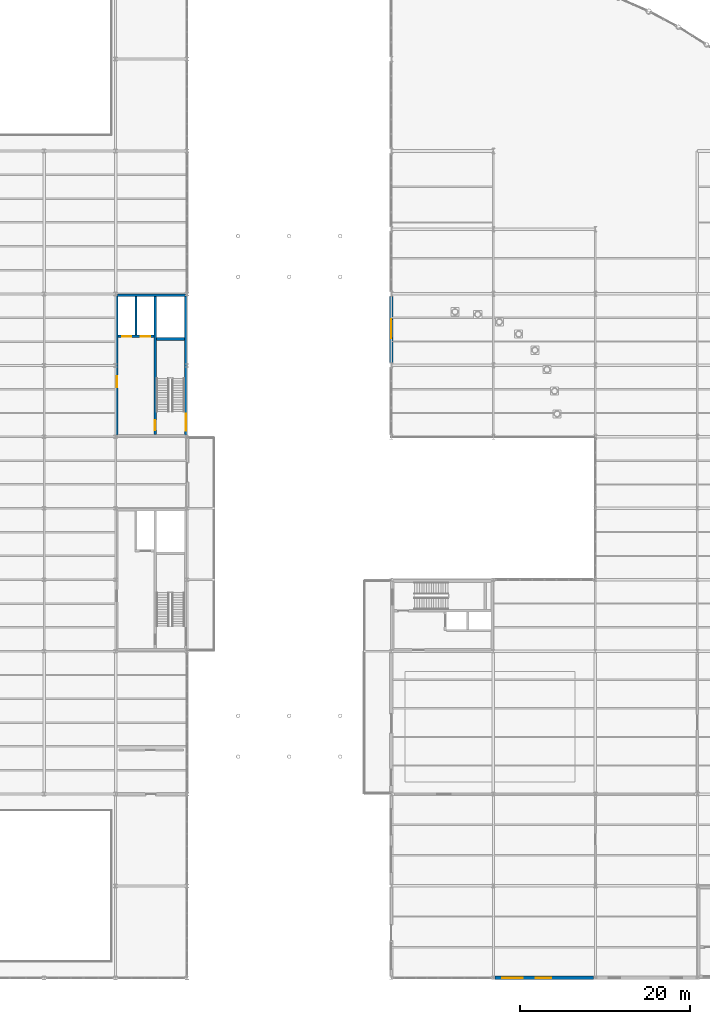
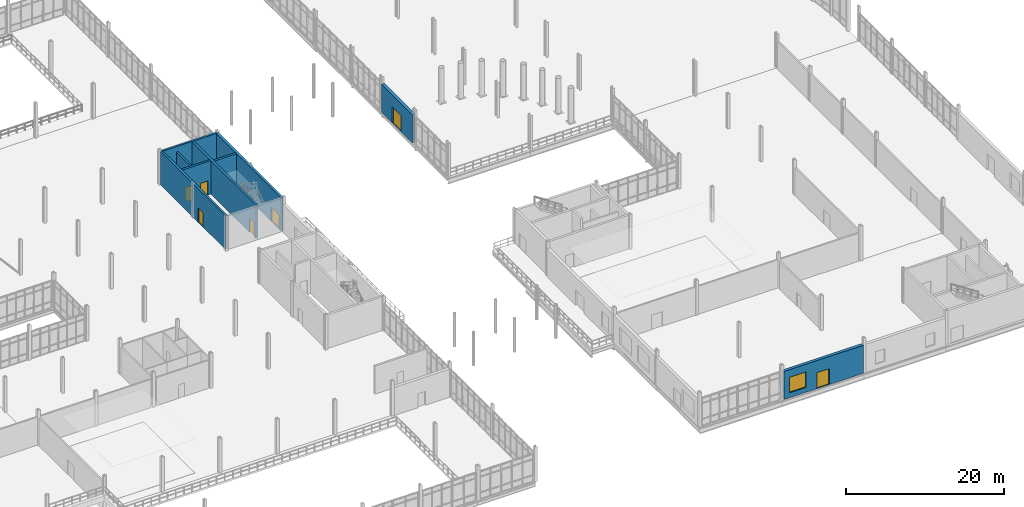
# One storey, part 100 of 111: 9 walls, 7 doors, 1 window, 8 openings.
"""IFC4 building model written with IfcOpenShell, lengths in metres."""

from ifc_helpers import new_model, si_unit, direction, frame, frame_2d, origin, place, context, subcontext, project, spatial, rectangle, extrude, material, layer, layer_set, type_object, element, fill, save


model = new_model("IFC4")

# Units and contexts
model_context = context("Model", 3, precision=1e-05, world=origin(), true_north=direction((0.0, 1.0)))
body_context = subcontext(model_context, "Body", "Model", "MODEL_VIEW")
ifc_project = project(units=[si_unit("LENGTHUNIT", "METRE"), si_unit("AREAUNIT", "SQUARE_METRE"), si_unit("VOLUMEUNIT", "CUBIC_METRE"), si_unit("PLANEANGLEUNIT", "RADIAN"), si_unit("MASSUNIT", "GRAM", prefix="KILO"), si_unit("THERMODYNAMICTEMPERATUREUNIT", "KELVIN"), si_unit("POWERUNIT", "WATT")], contexts=[model_context])

# Site, building, storey
site_placement = place(None, origin())
site = spatial("IfcSite", under=ifc_project, at=site_placement, CompositionType="ELEMENT")
building_placement = place(site_placement, origin())
building = spatial("IfcBuilding", under=site, at=building_placement, Name="Tembeka Court Mobility Hub", CompositionType="ELEMENT")
storey_placement = place(building_placement, origin())
storey = spatial("IfcBuildingStorey", under=building, at=storey_placement, Name="L00", CompositionType="ELEMENT", Elevation=0.0)

# Wall, opening, door
ifc_material_1 = material(Name="Insulated Nairobi volcanic-tuff masonry", Category="masonry")
ifc_layer_1 = layer(ifc_material_1, 0.419921875)
ifc_layer_set_1 = layer_set([ifc_layer_1], Name="Insulated Nairobi volcanic-tuff masonry")
wall_type_1 = type_object("IfcWallType", Name="WL-EW01", PredefinedType="STANDARD", material=ifc_layer_set_1)
wall_1_placement = place(storey_placement, frame((116.39990234375, 72.298095703125, 0.0), z_axis=(0.0, 0.0, 1.0), x_axis=(0.0, 1.0, 0.0)))
wall_1 = element("IfcWall", 1, at=wall_1_placement, inside=storey, type_object=wall_type_1, Name="External wall EW01 (EW-L00-0071)", PredefinedType="STANDARD", context=body_context, shape_type="SweptSolid", body=[
    extrude(rectangle(XDim=7.803955078125, YDim=0.419921875, at=frame_2d((3.90185546875, 0.0))), origin(), (0.0, 0.0, 1.0), 4.3349609375),
])
opening_1_placement = place(wall_1_placement, frame((2.89990234375, 0.0, 0.0)))
opening_1 = element("IfcOpeningElement", 2, at=opening_1_placement, cuts=wall_1, Name="Opening E08", PredefinedType="OPENING", context=body_context, shape_type="SweptSolid", body=[
    extrude(rectangle(XDim=2.199951171875, YDim=2.449951171875, at=frame_2d((1.10009765625, 1.22509765625))), frame((0.0, 0.219970703125, 0.0), z_axis=(0.0, -1.0, 0.0), x_axis=(1.0, 0.0, 0.0)), (0.0, 0.0, 1.0), 0.43994140625),
])
ifc_material_2 = material(Name="Powder-coated aluminium glazed doorset", Category="aluminium")
door_type_1 = type_object("IfcDoorType", Name="DR-E08", OperationType="NOTDEFINED", PredefinedType="DOOR", material=ifc_material_2)
door_1_placement = place(opening_1_placement, origin())
door_1 = element("IfcDoor", 3, at=door_1_placement, inside=storey, type_object=door_type_1, Name="Main entrance E08 forecourt East", OperationType="DOUBLE_DOOR_SINGLE_SWING", OverallHeight=2.449951171875, OverallWidth=2.199951171875, PredefinedType="DOOR", context=body_context, shape_type="SweptSolid", body=[
    extrude(rectangle(XDim=2.199951171875, YDim=2.449951171875, at=frame_2d((1.10009765625, 1.22509765625))), frame((0.0, 0.02490234375, 0.0), z_axis=(0.0, -1.0, 0.0), x_axis=(1.0, 0.0, 0.0)), (0.0, 0.0, 1.0), 0.050048828125),
])
fill(opening_1, door_1)

# Wall, openings, door, window
wall_2_placement = place(storey_placement, frame((128.595458984375, 0.0, 0.0), z_axis=(0.0, 0.0, 1.0), x_axis=(1.0, 0.0, 0.0)))
wall_2 = element("IfcWall", 4, at=wall_2_placement, inside=storey, type_object=wall_type_1, Name="External wall EW01 (EW-L00-0075)", PredefinedType="STANDARD", context=body_context, shape_type="SweptSolid", body=[
    extrude(rectangle(XDim=11.609130859375, YDim=0.419921875, at=frame_2d((5.8046875, 0.0))), origin(), (0.0, 0.0, 1.0), 4.3349609375),
])
opening_2_placement = place(wall_2_placement, frame((4.820068359375, 0.0, 0.0)))
opening_2 = element("IfcOpeningElement", 5, at=opening_2_placement, cuts=wall_2, Name="Opening E14", PredefinedType="OPENING", context=body_context, shape_type="SweptSolid", body=[
    extrude(rectangle(XDim=1.800048828125, YDim=2.449951171875, at=frame_2d((0.89990234375, 1.22509765625))), frame((0.0, 0.219970703125, 0.0), z_axis=(0.0, -1.0, 0.0), x_axis=(1.0, 0.0, 0.0)), (0.0, 0.0, 1.0), 0.43994140625),
])
opening_3_placement = place(wall_2_placement, frame((0.85009765625, 0.0, 0.75)))
opening_3 = element("IfcOpeningElement", 6, at=opening_3_placement, cuts=wall_2, Name="Opening WN02", PredefinedType="OPENING", context=body_context, shape_type="SweptSolid", body=[
    extrude(rectangle(XDim=2.39990234375, YDim=2.39990234375, at=frame_2d((1.199951171875, 1.199951171875))), frame((0.0, 0.219970703125, 0.0), z_axis=(0.0, -1.0, 0.0), x_axis=(1.0, 0.0, 0.0)), (0.0, 0.0, 1.0), 0.43994140625),
])
door_type_2 = type_object("IfcDoorType", Name="DR-E14", OperationType="NOTDEFINED", PredefinedType="DOOR", material=ifc_material_2)
door_2_placement = place(opening_2_placement, frame((1.800048828125, 0.0, 0.0), z_axis=(0.0, 0.0, 1.0), x_axis=(-1.0, 0.0, 0.0)))
door_2 = element("IfcDoor", 7, at=door_2_placement, inside=storey, type_object=door_type_2, Name="Final exit E14 bicycle and cafe South", OperationType="DOUBLE_DOOR_SINGLE_SWING", OverallHeight=2.449951171875, OverallWidth=1.800048828125, PredefinedType="DOOR", context=body_context, shape_type="SweptSolid", body=[
    extrude(rectangle(XDim=1.800048828125, YDim=2.449951171875, at=frame_2d((0.89990234375, 1.22509765625))), frame((0.0, 0.02490234375, 0.0), z_axis=(0.0, -1.0, 0.0), x_axis=(1.0, 0.0, 0.0)), (0.0, 0.0, 1.0), 0.050048828125),
])
fill(opening_2, door_2)
ifc_material_3 = material(Name="Laminated solar-control low-E glass", Category="glass")
window_type = type_object("IfcWindowType", Name="WN-W02", PartitioningType="SINGLE_PANEL", PredefinedType="WINDOW", material=ifc_material_3)
window_placement = place(opening_3_placement, origin())
window = element("IfcWindow", 8, at=window_placement, inside=storey, type_object=window_type, Name="Window WN02-0015", OverallHeight=2.39990234375, OverallWidth=2.39990234375, PartitioningType="SINGLE_PANEL", PredefinedType="WINDOW", context=body_context, shape_type="SweptSolid", body=[
    extrude(rectangle(XDim=2.39990234375, YDim=2.39990234375, at=frame_2d((1.199951171875, 1.199951171875))), frame((0.0, 0.030029296875, 0.0), z_axis=(0.0, -1.0, 0.0), x_axis=(1.0, 0.0, 0.0)), (0.0, 0.0, 1.0), 0.06005859375),
])
fill(opening_3, window)

# Walls
ifc_material_4 = material(Name="Concrete C40/50", Category="concrete")
ifc_layer_2 = layer(ifc_material_4, 0.25)
ifc_layer_set_2 = layer_set([ifc_layer_2], Name="Concrete C40/50")
wall_type_2 = type_object("IfcWallType", Name="WL-IW01", PredefinedType="PARTITIONING", material=ifc_layer_set_2)
wall_3_placement = place(storey_placement, frame((86.39990234375, 75.550048828125, 0.0), z_axis=(0.0, 0.0, 1.0), x_axis=(0.0, 1.0, 0.0)))
element("IfcWall", 9, at=wall_3_placement, inside=storey, type_object=wall_type_2, Name="Wall IW01 (IW-L00-0080)", PredefinedType="PARTITIONING", context=body_context, shape_type="SweptSolid", body=[
    extrude(rectangle(XDim=4.550048828125, YDim=0.25, at=frame_2d((2.27490234375, 0.0))), origin(), (0.0, 0.0, 1.0), 4.324951171875),
])
ifc_layer_3 = layer(ifc_material_4, 0.300048828125)
ifc_layer_set_3 = layer_set([ifc_layer_3], Name="Concrete C40/50")
wall_type_3 = type_object("IfcWallType", Name="WL-SW01", PredefinedType="SHEAR", material=ifc_layer_set_3)
wall_4_placement = place(storey_placement, frame((84.197509765625, 80.25, 0.0), z_axis=(0.0, 0.0, 1.0), x_axis=(1.0, 0.0, 0.0)))
element("IfcWall", 10, at=wall_4_placement, inside=storey, type_object=wall_type_3, Name="Wall SW01 (IW-L00-0074)", PredefinedType="SHEAR", context=body_context, shape_type="SweptSolid", body=[
    extrude(rectangle(XDim=8.0048828125, YDim=0.300048828125, at=frame_2d((4.00244140625, 0.0))), origin(), (0.0, 0.0, 1.0), 5.179931640625),
])
wall_5_placement = place(storey_placement, frame((88.800048828125, 75.10009765625, 0.0), z_axis=(0.0, 0.0, 1.0), x_axis=(1.0, 0.0, 0.0)))
element("IfcWall", 11, at=wall_5_placement, inside=storey, type_object=wall_type_3, Name="Wall SW01 (IW-L00-0075)", PredefinedType="SHEAR", context=body_context, shape_type="SweptSolid", body=[
    extrude(rectangle(XDim=3.300048828125, YDim=0.300048828125, at=frame_2d((1.64990234375, 0.0))), origin(), (0.0, 0.0, 1.0), 5.179931640625),
])

# Wall, opening, door
wall_6_placement = place(storey_placement, frame((84.14990234375, 63.794921875, 0.0), z_axis=(0.0, 0.0, 1.0), x_axis=(0.0, 1.0, 0.0)))
wall_6 = element("IfcWall", 12, at=wall_6_placement, inside=storey, type_object=wall_type_3, Name="Wall SW01 (IW-L00-0077)", PredefinedType="SHEAR", context=body_context, shape_type="SweptSolid", body=[
    extrude(rectangle(XDim=16.41015625, YDim=0.300048828125, at=frame_2d((8.205078125, 0.0))), origin(), (0.0, 0.0, 1.0), 5.179931640625),
])
opening_4_placement = place(wall_6_placement, frame((5.655029296875, 0.0, 0.0)))
opening_4 = element("IfcOpeningElement", 13, at=opening_4_placement, cuts=wall_6, Name="Opening FD02", PredefinedType="OPENING", context=body_context, shape_type="SweptSolid", body=[
    extrude(rectangle(XDim=1.300048828125, YDim=2.199951171875, at=frame_2d((0.64990234375, 1.10009765625))), frame((0.0, 0.16015625, 0.0), z_axis=(0.0, -1.0, 0.0), x_axis=(1.0, 0.0, 0.0)), (0.0, 0.0, 1.0), 0.320068359375),
])
ifc_material_5 = material(Name="Galvanised steel fire/shutter doorset", Category="steel")
door_type_3 = type_object("IfcDoorType", Name="DR-FD02", OperationType="NOTDEFINED", PredefinedType="DOOR", material=ifc_material_5)
door_3_placement = place(opening_4_placement, origin())
door_3 = element("IfcDoor", 14, at=door_3_placement, inside=storey, type_object=door_type_3, Name="Door FD02-0039", OperationType="SINGLE_SWING_LEFT", OverallHeight=2.199951171875, OverallWidth=1.300048828125, PredefinedType="DOOR", context=body_context, shape_type="SweptSolid", body=[
    extrude(rectangle(XDim=1.300048828125, YDim=2.199951171875, at=frame_2d((0.64990234375, 1.10009765625))), frame((0.0, 0.02490234375, 0.0), z_axis=(0.0, -1.0, 0.0), x_axis=(1.0, 0.0, 0.0)), (0.0, 0.0, 1.0), 0.050048828125),
])
fill(opening_4, door_3)

wall_7_placement = place(storey_placement, frame((88.64990234375, 63.89990234375, 0.0), z_axis=(0.0, 0.0, 1.0), x_axis=(0.0, 1.0, 0.0)))
wall_7 = element("IfcWall", 15, at=wall_7_placement, inside=storey, type_object=wall_type_3, Name="Wall SW01 (IW-L00-0078)", PredefinedType="SHEAR", context=body_context, shape_type="SweptSolid", body=[
    extrude(rectangle(XDim=16.2001953125, YDim=0.300048828125, at=frame_2d((8.10009765625, 0.0))), origin(), (0.0, 0.0, 1.0), 5.179931640625),
])
opening_5_placement = place(wall_7_placement, frame((0.5, 0.0, 0.0)))
opening_5 = element("IfcOpeningElement", 16, at=opening_5_placement, cuts=wall_7, Name="Opening FD03", PredefinedType="OPENING", context=body_context, shape_type="SweptSolid", body=[
    extrude(rectangle(XDim=1.14990234375, YDim=2.14990234375, at=frame_2d((0.574951171875, 1.074951171875))), frame((0.0, 0.16015625, 0.0), z_axis=(0.0, -1.0, 0.0), x_axis=(1.0, 0.0, 0.0)), (0.0, 0.0, 1.0), 0.320068359375),
])
door_type_4 = type_object("IfcDoorType", Name="DR-FD03", OperationType="NOTDEFINED", PredefinedType="DOOR", material=ifc_material_5)
door_4_placement = place(opening_5_placement, origin())
door_4 = element("IfcDoor", 17, at=door_4_placement, inside=storey, type_object=door_type_4, Name="Door FD03-0040", OperationType="SINGLE_SWING_RIGHT", OverallHeight=2.14990234375, OverallWidth=1.14990234375, PredefinedType="DOOR", context=body_context, shape_type="SweptSolid", body=[
    extrude(rectangle(XDim=1.14990234375, YDim=2.14990234375, at=frame_2d((0.574951171875, 1.074951171875))), frame((0.0, 0.02490234375, 0.0), z_axis=(0.0, -1.0, 0.0), x_axis=(1.0, 0.0, 0.0)), (0.0, 0.0, 1.0), 0.050048828125),
])
fill(opening_5, door_4)

# Wall, openings, doors
wall_8_placement = place(storey_placement, frame((84.300048828125, 75.39990234375, 0.0), z_axis=(0.0, 0.0, 1.0), x_axis=(1.0, 0.0, 0.0)))
wall_8 = element("IfcWall", 18, at=wall_8_placement, inside=storey, type_object=wall_type_3, Name="Wall SW01 (IW-L00-0079)", PredefinedType="SHEAR", context=body_context, shape_type="SweptSolid", body=[
    extrude(rectangle(XDim=4.199951171875, YDim=0.300048828125, at=frame_2d((2.10009765625, 0.0))), origin(), (0.0, 0.0, 1.0), 5.179931640625),
])
opening_6_placement = place(wall_8_placement, frame((0.449951171875, 0.0, 0.0)))
opening_6 = element("IfcOpeningElement", 19, at=opening_6_placement, cuts=wall_8, Name="Opening LD01", PredefinedType="OPENING", context=body_context, shape_type="SweptSolid", body=[
    extrude(rectangle(XDim=1.10009765625, YDim=2.199951171875, at=frame_2d((0.550048828125, 1.10009765625))), frame((0.0, 0.16015625, 0.0), z_axis=(0.0, -1.0, 0.0), x_axis=(1.0, 0.0, 0.0)), (0.0, 0.0, 1.0), 0.320068359375),
])
opening_7_placement = place(wall_8_placement, frame((2.64990234375, 0.0, 0.0)))
opening_7 = element("IfcOpeningElement", 20, at=opening_7_placement, cuts=wall_8, Name="Opening LD01", PredefinedType="OPENING", context=body_context, shape_type="SweptSolid", body=[
    extrude(rectangle(XDim=1.10009765625, YDim=2.199951171875, at=frame_2d((0.550048828125, 1.10009765625))), frame((0.0, 0.16015625, 0.0), z_axis=(0.0, -1.0, 0.0), x_axis=(1.0, 0.0, 0.0)), (0.0, 0.0, 1.0), 0.320068359375),
])
door_type_5 = type_object("IfcDoorType", Name="DR-LD01", OperationType="SLIDING_TO_LEFT", PredefinedType="DOOR", material=ifc_material_5)
door_5_placement = place(opening_6_placement, origin())
door_5 = element("IfcDoor", 21, at=door_5_placement, inside=storey, type_object=door_type_5, Name="Lift LF02 landing door L00", OperationType="SLIDING_TO_LEFT", OverallHeight=2.199951171875, OverallWidth=1.10009765625, PredefinedType="DOOR", context=body_context, shape_type="SweptSolid", body=[
    extrude(rectangle(XDim=1.10009765625, YDim=2.199951171875, at=frame_2d((0.550048828125, 1.10009765625))), frame((0.0, 0.02490234375, 0.0), z_axis=(0.0, -1.0, 0.0), x_axis=(1.0, 0.0, 0.0)), (0.0, 0.0, 1.0), 0.050048828125),
])
fill(opening_6, door_5)
door_6_placement = place(opening_7_placement, origin())
door_6 = element("IfcDoor", 22, at=door_6_placement, inside=storey, type_object=door_type_5, Name="Lift LF04 landing door L00", OperationType="SLIDING_TO_LEFT", OverallHeight=2.199951171875, OverallWidth=1.10009765625, PredefinedType="DOOR", context=body_context, shape_type="SweptSolid", body=[
    extrude(rectangle(XDim=1.10009765625, YDim=2.199951171875, at=frame_2d((0.550048828125, 1.10009765625))), frame((0.0, 0.02490234375, 0.0), z_axis=(0.0, -1.0, 0.0), x_axis=(1.0, 0.0, 0.0)), (0.0, 0.0, 1.0), 0.050048828125),
])
fill(opening_7, door_6)

# Wall, opening, door
ifc_layer_4 = layer(ifc_material_4, 0.35009765625)
ifc_layer_set_4 = layer_set([ifc_layer_4], Name="Concrete C40/50")
wall_type_4 = type_object("IfcWallType", Name="WL-SW02", PredefinedType="SHEAR", material=ifc_layer_set_4)
wall_9_placement = place(storey_placement, frame((92.25, 63.794921875, 0.0), z_axis=(0.0, 0.0, 1.0), x_axis=(0.0, 1.0, 0.0)))
wall_9 = element("IfcWall", 23, at=wall_9_placement, inside=storey, type_object=wall_type_4, Name="Wall SW02 (IW-L00-0076)", PredefinedType="SHEAR", context=body_context, shape_type="SweptSolid", body=[
    extrude(rectangle(XDim=16.41015625, YDim=0.35009765625, at=frame_2d((8.205078125, 0.0))), origin(), (0.0, 0.0, 1.0), 5.179931640625),
])
opening_8_placement = place(wall_9_placement, frame((0.5048828125, 0.0, 0.0)))
opening_8 = element("IfcOpeningElement", 24, at=opening_8_placement, cuts=wall_9, Name="Opening E02", PredefinedType="OPENING", context=body_context, shape_type="SweptSolid", body=[
    extrude(rectangle(XDim=2.0, YDim=2.239990234375, at=frame_2d((1.0, 1.1201171875))), frame((0.0, 0.18505859375, 0.0), z_axis=(0.0, -1.0, 0.0), x_axis=(1.0, 0.0, 0.0)), (0.0, 0.0, 1.0), 0.3701171875),
])
door_type_6 = type_object("IfcDoorType", Name="DR-E02", OperationType="NOTDEFINED", PredefinedType="DOOR", material=ifc_material_2)
door_7_placement = place(opening_8_placement, frame((2.0, 0.0, 0.0), z_axis=(0.0, 0.0, 1.0), x_axis=(-1.0, 0.0, 0.0)))
door_7 = element("IfcDoor", 25, at=door_7_placement, inside=storey, type_object=door_type_6, Name="Final exit E02 from Stair ST02", OperationType="DOUBLE_DOOR_SINGLE_SWING", OverallHeight=2.239990234375, OverallWidth=2.0, PredefinedType="DOOR", context=body_context, shape_type="SweptSolid", body=[
    extrude(rectangle(XDim=2.0, YDim=2.239990234375, at=frame_2d((1.0, 1.1201171875))), frame((0.0, 0.02490234375, 0.0), z_axis=(0.0, -1.0, 0.0), x_axis=(1.0, 0.0, 0.0)), (0.0, 0.0, 1.0), 0.050048828125),
])
fill(opening_8, door_7)

save(model, "model.ifc")
